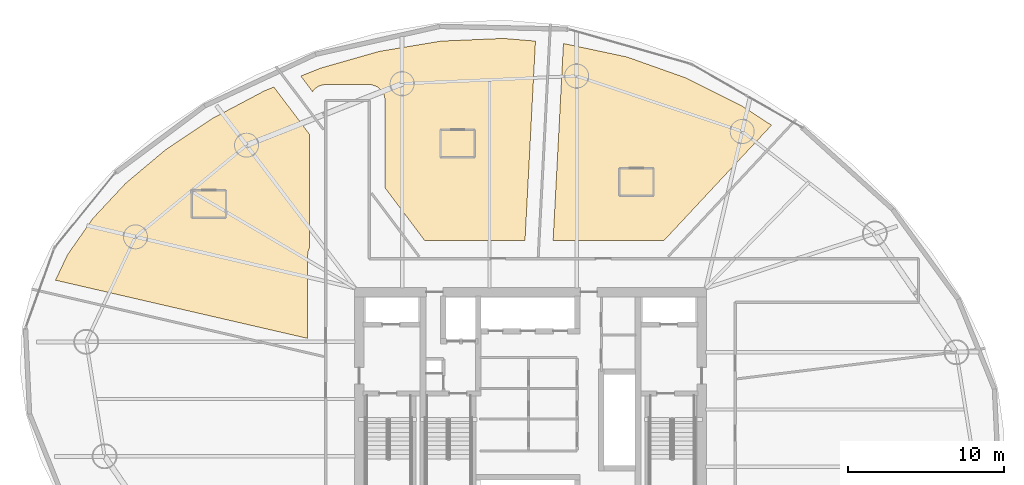
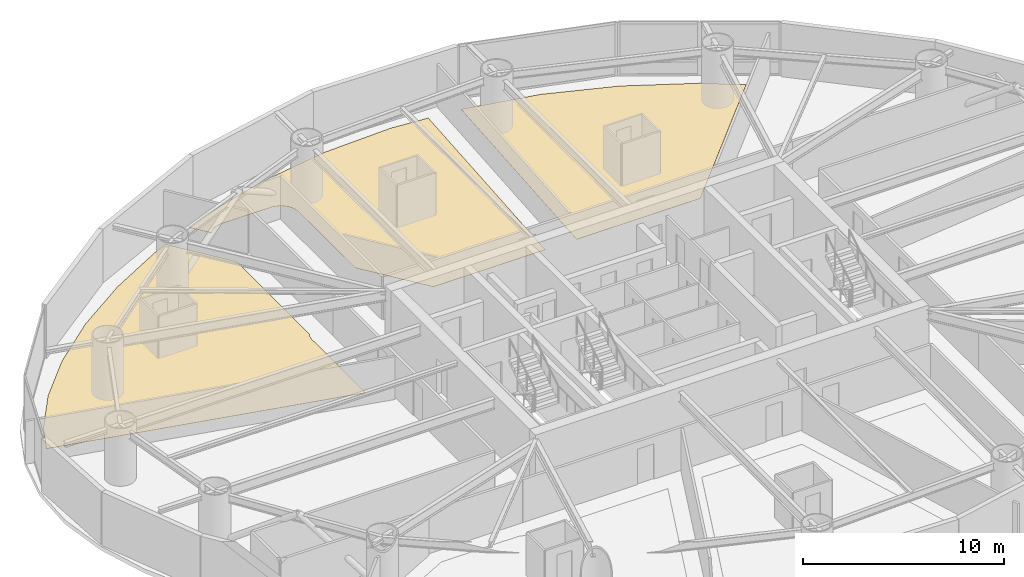
# One storey, part 23 of 23: 3 coverings.
"""IFC4 building model written with IfcOpenShell, lengths in metres."""

from ifc_helpers import new_model, si_unit, direction, frame, origin, place, context, subcontext, project, spatial, polyline, outline, extrude, material, layer, layer_set, type_object, element, save


model = new_model("IFC4")

# Units and contexts
model_context = context("Model", 3, precision=1e-05, world=origin(), true_north=direction((0.0, 1.0)))
body_context = subcontext(model_context, "Body", "Model", "MODEL_VIEW")
ifc_project = project(units=[si_unit("LENGTHUNIT", "METRE"), si_unit("AREAUNIT", "SQUARE_METRE"), si_unit("VOLUMEUNIT", "CUBIC_METRE"), si_unit("PLANEANGLEUNIT", "RADIAN"), si_unit("MASSUNIT", "GRAM", prefix="KILO")], contexts=[model_context])

# Site, building, storey
site_placement = place(None, origin())
site = spatial("IfcSite", under=ifc_project, at=site_placement, CompositionType="ELEMENT")
building_placement = place(site_placement, origin())
building = spatial("IfcBuilding", under=site, at=building_placement, Name="Bramvorn Convention Spire", CompositionType="ELEMENT")
storey_placement = place(building_placement, frame((0.0, 0.0, 69.39990234375)))
storey = spatial("IfcBuildingStorey", under=building, at=storey_placement, Name="L15", CompositionType="ELEMENT", Elevation=69.39990234375)

# Coverings
ifc_material = material(Name="Solution-Dyed Wool Broadloom Hospitality Carpet", Category="textile")
ifc_layer = layer(ifc_material, 0.014892578125)
ifc_layer_set = layer_set([ifc_layer], Name="Solution-Dyed Wool Broadloom Hospitality Carpet - FLR-CARPET-15")
covering_type = type_object("IfcCoveringType", Name="FLR-CARPET-15", PredefinedType="FLOORING", material=ifc_layer_set)
covering_1_placement = place(storey_placement, origin())
element("IfcCovering", 1, at=covering_1_placement, inside=storey, type_object=covering_type, Name="Hotel Suite 1502 wool broadloom carpet", PredefinedType="FLOORING", context=body_context, shape_type="SweptSolid", body=[
    extrude(outline(polyline([(40.114990234375, 49.158447265625), (39.451416015625, 36.5), (46.560791015625, 36.5), (53.471923828125, 43.911376953125), (51.543212890625, 45.166259765625), (47.96337890625, 46.952392578125), (44.184814453125, 48.294189453125), (40.114990234375, 49.158447265625)])), origin(), (0.0, 0.0, 1.0), 0.01513671875),
])
covering_2_placement = place(storey_placement, origin())
element("IfcCovering", 2, at=covering_2_placement, inside=storey, type_object=covering_type, Name="Hotel Suite 1503 wool broadloom carpet", PredefinedType="FLOORING", context=body_context, shape_type="SweptSolid", body=[
    extrude(outline(polyline([(24.16943359375, 46.259521484375), (24.40869140625, 46.41943359375), (24.60791015625, 46.49072265625), (24.85009765625, 46.52001953125), (27.793701171875, 46.509765625), (28.169189453125, 46.377685546875), (28.465576171875, 46.1123046875), (28.6083984375, 45.84912109375), (28.6689453125, 45.544189453125), (28.669921875, 39.876708984375), (31.214599609375, 36.5), (37.64892578125, 36.5), (38.3203125, 49.310546875), (36.27099609375, 49.484130859375), (32.264404296875, 49.3125), (28.317626953125, 48.657958984375), (24.503662109375, 47.568115234375), (23.255615234375, 47.06201171875), (24.00439453125, 46.068359375), (24.16943359375, 46.259521484375)])), origin(), (0.0, 0.0, 1.0), 0.01513671875),
])
covering_3_placement = place(storey_placement, origin())
element("IfcCovering", 3, at=covering_3_placement, inside=storey, type_object=covering_type, Name="Hotel Suite 1504 wool broadloom carpet", PredefinedType="FLOORING", context=body_context, shape_type="SweptSolid", body=[
    extrude(outline(polyline([(23.699951171875, 30.22509765625), (23.699951171875, 35.60009765625), (23.73876953125, 35.861328125), (23.830078125, 36.063720703125), (23.830078125, 43.30859375), (21.529296875, 46.362060546875), (20.896728515625, 46.105712890625), (17.56982421875, 44.341796875), (14.590087890625, 42.347900390625), (12.01708984375, 40.189208984375), (9.89892578125, 37.91943359375), (8.268798828125, 35.577392578125), (7.5087890625, 33.963134765625), (23.699951171875, 30.22509765625)])), origin(), (0.0, 0.0, 1.0), 0.01513671875),
])

save(model, "model.ifc")
